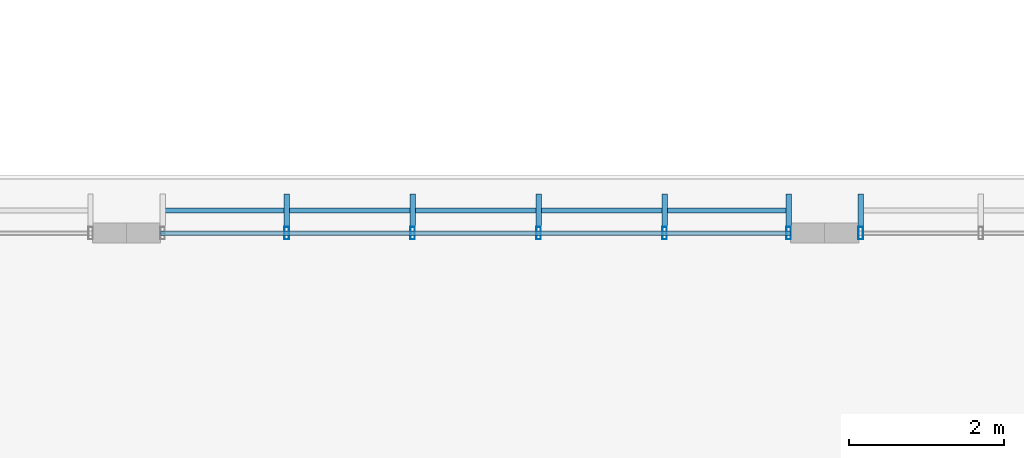
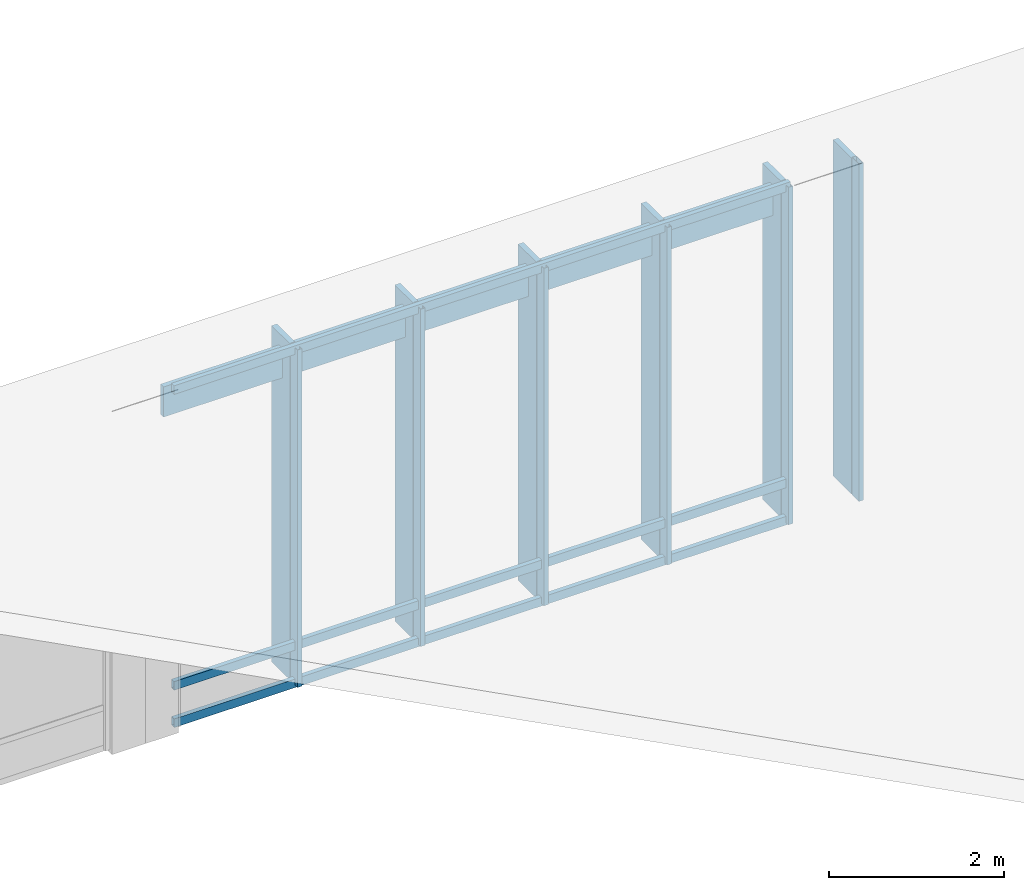
# One storey, part 63 of 182: 16 members, 2 elements without a shape of their own.
"""IFC4 building model written with IfcOpenShell, lengths in metres."""

from ifc_helpers import new_model, si_unit, direction, frame, origin, origin_2d, place, context, subcontext, project, spatial, rectangle, hollow_rectangle, extrude, material, material_profile, profile_set, type_object, element, aggregate, save


model = new_model("IFC4")

# Units and contexts
model_context = context("Model", 3, precision=1e-05, world=origin(), true_north=direction((0.0, 1.0)))
body_context = subcontext(model_context, "Body", "Model", "MODEL_VIEW")
ifc_project = project(units=[si_unit("LENGTHUNIT", "METRE"), si_unit("AREAUNIT", "SQUARE_METRE"), si_unit("VOLUMEUNIT", "CUBIC_METRE"), si_unit("PLANEANGLEUNIT", "RADIAN"), si_unit("MASSUNIT", "GRAM", prefix="KILO")], contexts=[model_context])

# Site, building, storey
site_placement = place(None, origin())
site = spatial("IfcSite", under=ifc_project, at=site_placement, CompositionType="ELEMENT")
building_placement = place(site_placement, origin())
building = spatial("IfcBuilding", under=site, at=building_placement, Name="Chiffa Square Polytechnic", CompositionType="ELEMENT")
storey_placement = place(building_placement, frame((0.0, 0.0, 9.60009765625)))
storey = spatial("IfcBuildingStorey", under=building, at=storey_placement, Name="L02", CompositionType="ELEMENT", Elevation=9.60009765625)

# Curtain wall, members
ifc_material_1 = material(Name="Aluminium EN AW-6060 T66 and glulam shading", Category="wood")
curtain_wall_type_1 = type_object("IfcCurtainWallType", Name="CW-VERT-540X440", PredefinedType="USERDEFINED", material=ifc_material_1)
curtain_wall_1_placement = place(storey_placement, origin())
curtain_wall_1 = element("IfcCurtainWall", 1, at=curtain_wall_1_placement, inside=storey, type_object=curtain_wall_type_1, Name="Curtain wall CW-V4-CLRN-06", ObjectType="CURTAIN WALL", PredefinedType="USERDEFINED")
ifc_material_2 = material(Name="Aluminium EN AW-6060 T66", Category="aluminium")
ifc_material_profile_1 = material_profile(ifc_material_2, hollow_rectangle(XDim=0.06005859375, YDim=0.159912109375, WallThickness=0.00390625, at=origin_2d()), Name="ALU 60x160x4")
ifc_profile_set_1 = profile_set([ifc_material_profile_1], Name="Aluminium EN AW-6060 T66")
member_type_1 = type_object("IfcMemberType", Name="CWM-ALU-65X150", PredefinedType="MULLION", material=ifc_profile_set_1)
member_1_placement = place(storey_placement, frame((102.135009765625, 43.800048828125, 0.039794921875), z_axis=(0.0, 0.0, 1.0), x_axis=(1.0, 0.0, 0.0)))
member_1 = element("IfcMember", 2, at=member_1_placement, type_object=member_type_1, Name="Curtain wall mullion CW-V4-CLRN-06-M00", PredefinedType="MULLION", context=body_context, shape_type="SweptSolid", body=[
    extrude(hollow_rectangle(XDim=0.06005859375, YDim=0.159912109375, WallThickness=0.00390625, at=origin_2d()), origin(), (0.0, 0.0, 1.0), 4.703125),
])
member_2_placement = place(storey_placement, frame((100.535888671875, 43.800048828125, 0.039794921875), z_axis=(0.0, 0.0, 1.0), x_axis=(1.0, 0.0, 0.0)))
member_2 = element("IfcMember", 3, at=member_2_placement, type_object=member_type_1, Name="Curtain wall mullion CW-V4-CLRN-06-M01", PredefinedType="MULLION", context=body_context, shape_type="SweptSolid", body=[
    extrude(hollow_rectangle(XDim=0.06005859375, YDim=0.159912109375, WallThickness=0.00390625, at=origin_2d()), origin(), (0.0, 0.0, 1.0), 4.703125),
])
member_3_placement = place(storey_placement, frame((98.912109375, 43.800048828125, 0.039794921875), z_axis=(0.0, 0.0, 1.0), x_axis=(1.0, 0.0, 0.0)))
member_3 = element("IfcMember", 4, at=member_3_placement, type_object=member_type_1, Name="Curtain wall mullion CW-V4-CLRN-06-M02", PredefinedType="MULLION", context=body_context, shape_type="SweptSolid", body=[
    extrude(hollow_rectangle(XDim=0.06005859375, YDim=0.159912109375, WallThickness=0.00390625, at=origin_2d()), origin(), (0.0, 0.0, 1.0), 4.703125),
])
member_4_placement = place(storey_placement, frame((97.2880859375, 43.800048828125, 0.039794921875), z_axis=(0.0, 0.0, 1.0), x_axis=(1.0, 0.0, 0.0)))
member_4 = element("IfcMember", 5, at=member_4_placement, type_object=member_type_1, Name="Curtain wall mullion CW-V4-CLRN-06-M03", PredefinedType="MULLION", context=body_context, shape_type="SweptSolid", body=[
    extrude(hollow_rectangle(XDim=0.06005859375, YDim=0.159912109375, WallThickness=0.00390625, at=origin_2d()), origin(), (0.0, 0.0, 1.0), 4.703125),
])
member_5_placement = place(storey_placement, frame((95.6640625, 43.800048828125, 0.039794921875), z_axis=(0.0, 0.0, 1.0), x_axis=(1.0, 0.0, 0.0)))
member_5 = element("IfcMember", 6, at=member_5_placement, type_object=member_type_1, Name="Curtain wall mullion CW-V4-CLRN-06-M04", PredefinedType="MULLION", context=body_context, shape_type="SweptSolid", body=[
    extrude(hollow_rectangle(XDim=0.06005859375, YDim=0.159912109375, WallThickness=0.00390625, at=origin_2d()), origin(), (0.0, 0.0, 1.0), 4.703125),
])

# Curtain wall, member
curtain_wall_type_2 = type_object("IfcCurtainWallType", Name="CW-VERT-450X440", PredefinedType="USERDEFINED", material=ifc_material_1)
curtain_wall_2_placement = place(storey_placement, origin())
curtain_wall_2 = element("IfcCurtainWall", 7, at=curtain_wall_2_placement, inside=storey, type_object=curtain_wall_type_2, Name="Curtain wall CW-V4-CLRN-07", ObjectType="CURTAIN WALL", PredefinedType="USERDEFINED")
member_6_placement = place(storey_placement, frame((103.06494140625, 43.800048828125, 0.039794921875), z_axis=(0.0, 0.0, 1.0), x_axis=(1.0, 0.0, 0.0)))
member_6 = element("IfcMember", 8, at=member_6_placement, type_object=member_type_1, Name="Curtain wall mullion CW-V4-CLRN-07-M05", PredefinedType="MULLION", context=body_context, shape_type="SweptSolid", body=[
    extrude(hollow_rectangle(XDim=0.06005859375, YDim=0.159912109375, WallThickness=0.00390625, at=origin_2d()), origin(), (0.0, 0.0, 1.0), 4.703125),
])

# Member
ifc_material_3 = material(Name="Glulam GL28h", Category="wood")
ifc_material_profile_2 = material_profile(ifc_material_3, rectangle(XDim=0.070068359375, YDim=0.419921875, at=origin_2d()), Name="GL28h 70x420")
ifc_profile_set_2 = profile_set([ifc_material_profile_2], Name="Glulam GL28h")
member_type_2 = type_object("IfcMemberType", Name="CWM-GL-70X420", PredefinedType="MULLION", material=ifc_profile_set_2)
member_7_placement = place(storey_placement, frame((102.135009765625, 44.092041015625, 0.0498046875), z_axis=(0.0, 0.0, 1.0), x_axis=(-1.0, 0.0, 0.0)))
member_7 = element("IfcMember", 9, at=member_7_placement, type_object=member_type_2, Name="Exterior glulam solar fin CW-V4-CLRN-06-FN00", PredefinedType="MULLION", context=body_context, shape_type="SweptSolid", body=[
    extrude(rectangle(XDim=0.070068359375, YDim=0.419921875, at=origin_2d()), origin(), (0.0, 0.0, 1.0), 4.68310546875),
])

member_8_placement = place(storey_placement, frame((100.535888671875, 44.092041015625, 0.0498046875), z_axis=(0.0, 0.0, 1.0), x_axis=(-1.0, 0.0, 0.0)))
member_8 = element("IfcMember", 10, at=member_8_placement, type_object=member_type_2, Name="Exterior glulam solar fin CW-V4-CLRN-06-FN01", PredefinedType="MULLION", context=body_context, shape_type="SweptSolid", body=[
    extrude(rectangle(XDim=0.070068359375, YDim=0.419921875, at=origin_2d()), origin(), (0.0, 0.0, 1.0), 4.68310546875),
])

member_9_placement = place(storey_placement, frame((98.912109375, 44.092041015625, 0.0498046875), z_axis=(0.0, 0.0, 1.0), x_axis=(-1.0, 0.0, 0.0)))
member_9 = element("IfcMember", 11, at=member_9_placement, type_object=member_type_2, Name="Exterior glulam solar fin CW-V4-CLRN-06-FN02", PredefinedType="MULLION", context=body_context, shape_type="SweptSolid", body=[
    extrude(rectangle(XDim=0.070068359375, YDim=0.419921875, at=origin_2d()), origin(), (0.0, 0.0, 1.0), 4.68310546875),
])

member_10_placement = place(storey_placement, frame((97.2880859375, 44.092041015625, 0.0498046875), z_axis=(0.0, 0.0, 1.0), x_axis=(-1.0, 0.0, 0.0)))
member_10 = element("IfcMember", 12, at=member_10_placement, type_object=member_type_2, Name="Exterior glulam solar fin CW-V4-CLRN-06-FN03", PredefinedType="MULLION", context=body_context, shape_type="SweptSolid", body=[
    extrude(rectangle(XDim=0.070068359375, YDim=0.419921875, at=origin_2d()), origin(), (0.0, 0.0, 1.0), 4.68310546875),
])

member_11_placement = place(storey_placement, frame((95.6640625, 44.092041015625, 0.0498046875), z_axis=(0.0, 0.0, 1.0), x_axis=(-1.0, 0.0, 0.0)))
member_11 = element("IfcMember", 13, at=member_11_placement, type_object=member_type_2, Name="Exterior glulam solar fin CW-V4-CLRN-06-FN04", PredefinedType="MULLION", context=body_context, shape_type="SweptSolid", body=[
    extrude(rectangle(XDim=0.070068359375, YDim=0.419921875, at=origin_2d()), origin(), (0.0, 0.0, 1.0), 4.68310546875),
])

member_12_placement = place(storey_placement, frame((103.06494140625, 44.092041015625, 0.0498046875), z_axis=(0.0, 0.0, 1.0), x_axis=(-1.0, 0.0, 0.0)))
member_12 = element("IfcMember", 14, at=member_12_placement, type_object=member_type_2, Name="Exterior glulam solar fin CW-V4-CLRN-07-FN05", PredefinedType="MULLION", context=body_context, shape_type="SweptSolid", body=[
    extrude(rectangle(XDim=0.070068359375, YDim=0.419921875, at=origin_2d()), origin(), (0.0, 0.0, 1.0), 4.68310546875),
])

aggregate(curtain_wall_2, [member_6, member_12])

ifc_material_profile_3 = material_profile(ifc_material_2, hollow_rectangle(XDim=0.06005859375, YDim=0.1201171875, WallThickness=0.00390625, at=origin_2d()), Name="ALU 60x120x4")
ifc_profile_set_3 = profile_set([ifc_material_profile_3], Name="Aluminium EN AW-6060 T66")
member_type_3 = type_object("IfcMemberType", Name="CWT-ALU-65X120", PredefinedType="USERDEFINED", material=ifc_profile_set_3)
member_13_placement = place(storey_placement, frame((102.162109375, 43.800048828125, 0.06982421875), z_axis=(-1.0, 0.0, 0.0), x_axis=(0.0, -1.0, 0.0)))
member_13 = element("IfcMember", 15, at=member_13_placement, type_object=member_type_3, Name="Curtain wall transom CW-V4-CLRN-06-T01", ObjectType="TRANSOM", PredefinedType="USERDEFINED", context=body_context, shape_type="SweptSolid", body=[
    extrude(hollow_rectangle(XDim=0.06005859375, YDim=0.1201171875, WallThickness=0.00390625, at=origin_2d()), origin(), (0.0, 0.0, 1.0), 8.1240234375),
])

member_14_placement = place(storey_placement, frame((102.162109375, 43.800048828125, 0.58984375), z_axis=(-1.0, 0.0, 0.0), x_axis=(0.0, -1.0, 0.0)))
member_14 = element("IfcMember", 16, at=member_14_placement, type_object=member_type_3, Name="Curtain wall transom CW-V4-CLRN-06-T02", ObjectType="TRANSOM", PredefinedType="USERDEFINED", context=body_context, shape_type="SweptSolid", body=[
    extrude(hollow_rectangle(XDim=0.06005859375, YDim=0.1201171875, WallThickness=0.00390625, at=origin_2d()), origin(), (0.0, 0.0, 1.0), 8.1240234375),
])

member_15_placement = place(storey_placement, frame((102.162109375, 43.800048828125, 4.712890625), z_axis=(-1.0, 0.0, 0.0), x_axis=(0.0, -1.0, 0.0)))
member_15 = element("IfcMember", 17, at=member_15_placement, type_object=member_type_3, Name="Curtain wall transom CW-V4-CLRN-06-T03", ObjectType="TRANSOM", PredefinedType="USERDEFINED", context=body_context, shape_type="SweptSolid", body=[
    extrude(hollow_rectangle(XDim=0.06005859375, YDim=0.1201171875, WallThickness=0.00390625, at=origin_2d()), origin(), (0.0, 0.0, 1.0), 8.1240234375),
])

ifc_material_profile_4 = material_profile(ifc_material_3, rectangle(XDim=0.070068359375, YDim=0.419921875, at=origin_2d()), Name="GL28h 70x420")
ifc_profile_set_4 = profile_set([ifc_material_profile_4], Name="Glulam GL28h")
member_type_4 = type_object("IfcMemberType", Name="CWT-GL-70X420", PredefinedType="USERDEFINED", material=ifc_profile_set_4)
member_16_placement = place(storey_placement, frame((102.135009765625, 44.092041015625, 4.36279296875), z_axis=(-1.0, 0.0, 0.0), x_axis=(0.0, -1.0, 0.0)))
member_16 = element("IfcMember", 18, at=member_16_placement, type_object=member_type_4, Name="Exterior glulam brise-soleil CW-V4-CLRN-06-BS01", ObjectType="TRANSOM", PredefinedType="USERDEFINED", context=body_context, shape_type="SweptSolid", body=[
    extrude(rectangle(XDim=0.070068359375, YDim=0.419921875, at=origin_2d()), origin(), (0.0, 0.0, 1.0), 8.070068359375),
])

aggregate(curtain_wall_1, [member_1, member_7, member_2, member_8, member_3, member_9, member_4, member_10, member_5, member_11, member_13, member_14, member_15, member_16])

save(model, "model.ifc")
